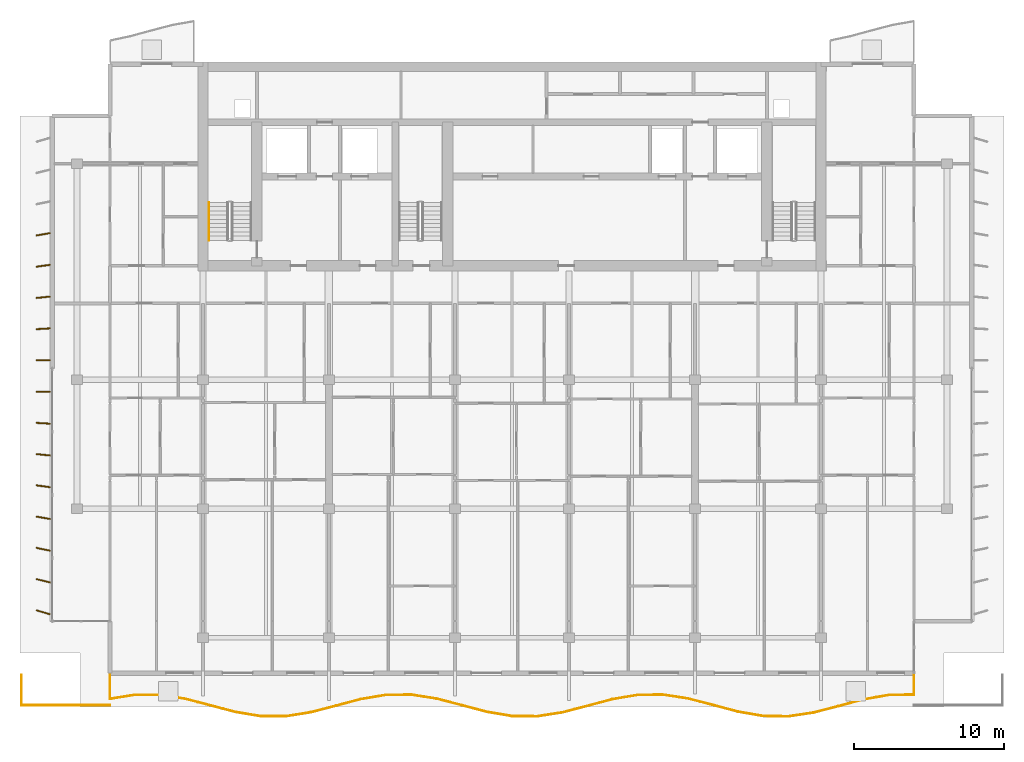
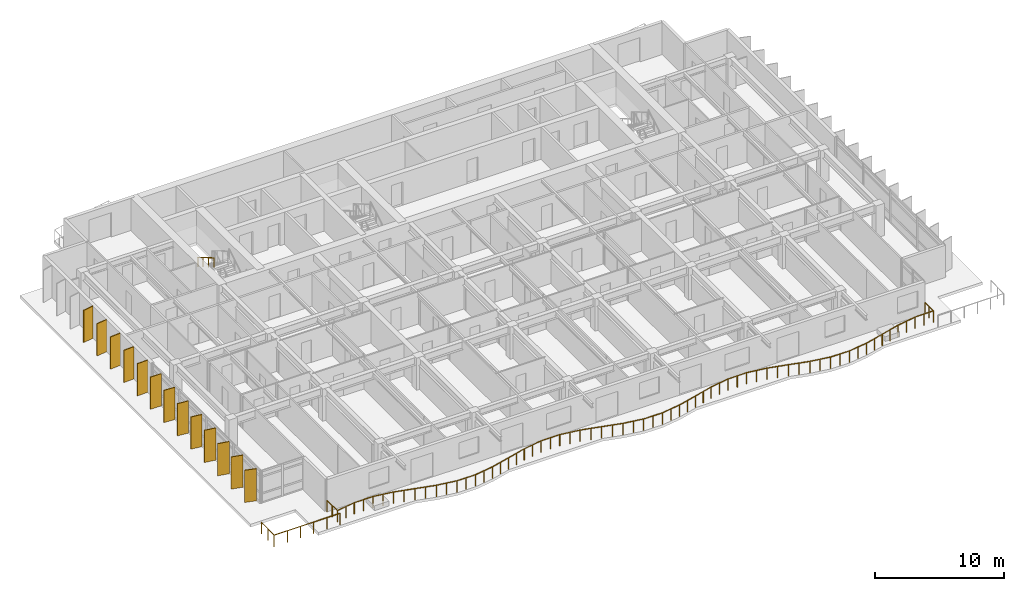
# One storey, part 13 of 17: 13 shading devices, 3 railings.
"""IFC4 building model written with IfcOpenShell, lengths in metres."""

from ifc_helpers import new_model, si_unit, direction, frame, origin, origin_2d, place, context, subcontext, project, spatial, rectangle, circle, extrude, material, material_profile, profile_set, type_object, element, save


model = new_model("IFC4")

# Units and contexts
model_context = context("Model", 3, precision=1e-05, world=origin(), true_north=direction((0.0, 1.0)))
body_context = subcontext(model_context, "Body", "Model", "MODEL_VIEW")
ifc_project = project(units=[si_unit("LENGTHUNIT", "METRE"), si_unit("AREAUNIT", "SQUARE_METRE"), si_unit("VOLUMEUNIT", "CUBIC_METRE"), si_unit("PLANEANGLEUNIT", "RADIAN"), si_unit("MASSUNIT", "GRAM", prefix="KILO")], contexts=[model_context])

# Site, building, storey
site_placement = place(None, origin())
site = spatial("IfcSite", under=ifc_project, at=site_placement, CompositionType="ELEMENT")
building_placement = place(site_placement, origin())
building = spatial("IfcBuilding", under=site, at=building_placement, Name="Caelmar Bay Residences", CompositionType="ELEMENT")
storey_placement = place(building_placement, frame((0.0, 0.0, 226.5)))
storey = spatial("IfcBuildingStorey", under=building, at=storey_placement, Name="L63", CompositionType="ELEMENT", Elevation=226.5)

# Railings
ifc_material_1 = material(Name="Anodised bronze handrail with laminated hurricane glass infill", Category="glass")
railing_type_1 = type_object("IfcRailingType", Name="RL-BAL-1100", PredefinedType="BALUSTRADE", material=ifc_material_1)
railing_1_placement = place(storey_placement, frame((12.10009765625, 9.699951171875, 0.0)))
element("IfcRailing", 1, at=railing_1_placement, inside=storey, type_object=railing_type_1, Name="L63 south Balcony Balustrade", PredefinedType="BALUSTRADE", context=body_context, shape_type="SweptSolid", body=[
    extrude(circle(Radius=0.02392578125, at=origin_2d()), frame((0.0, 0.0, 1.076171875), z_axis=(0.0, -1.0, 0.0), x_axis=(1.0, 0.0, 0.0)), (0.0, 0.0, 1.0), 1.5791015625),
    extrude(circle(Radius=0.02392578125, at=origin_2d()), frame((0.0, -1.5791015625, 1.076171875), z_axis=(0.987069814186, 0.160290929009, 0.0), x_axis=(-0.160290929009, 0.987069814186, 0.0)), (0.0, 0.0, 1.0), 1.69677734375),
    extrude(circle(Radius=0.02392578125, at=origin_2d()), frame((1.6748046875, -1.30712890625, 1.076171875), z_axis=(0.999999617618, 0.000874507755, 0.0), x_axis=(-0.000874507755, 0.999999617618, 0.0)), (0.0, 0.0, 1.0), 1.675048828125),
    extrude(circle(Radius=0.02392578125, at=origin_2d()), frame((3.349853515625, -1.3056640625, 1.076171875), z_axis=(0.987254980972, -0.15914648141, 0.0), x_axis=(0.15914648141, 0.987254980972, 0.0)), (0.0, 0.0, 1.0), 1.69677734375),
    extrude(circle(Radius=0.02392578125, at=origin_2d()), frame((5.02490234375, -1.57568359375, 1.076171875), z_axis=(0.967369754979, -0.253368816455, 0.0), x_axis=(0.253368816455, 0.967369754979, 0.0)), (0.0, 0.0, 1.0), 1.7314453125),
    extrude(circle(Radius=0.02392578125, at=origin_2d()), frame((6.699951171875, -2.014404296875, 1.076171875), z_axis=(0.967092793204, -0.254423916591, 0.0), x_axis=(0.254423916591, 0.967092793204, 0.0)), (0.0, 0.0, 1.0), 1.73193359375),
    extrude(circle(Radius=0.02392578125, at=origin_2d()), frame((8.375, -2.455078125, 1.076171875), z_axis=(0.986749248212, -0.162252646062, 0.0), x_axis=(0.162252646062, 0.986749248212, 0.0)), (0.0, 0.0, 1.0), 1.697265625),
    extrude(circle(Radius=0.02392578125, at=origin_2d()), frame((10.0498046875, -2.73046875, 1.076171875), z_axis=(0.999993881941, -0.003498010956, 0.0), x_axis=(0.003498010956, 0.999993881941, 0.0)), (0.0, 0.0, 1.0), 1.675048828125),
    extrude(circle(Radius=0.02392578125, at=origin_2d()), frame((11.724853515625, -2.736328125, 1.076171875), z_axis=(0.987591978571, 0.157041662822, 0.0), x_axis=(-0.157041662822, 0.987591978571, 0.0)), (0.0, 0.0, 1.0), 1.696044921875),
    extrude(circle(Radius=0.02392578125, at=origin_2d()), frame((13.39990234375, -2.469970703125, 1.076171875), z_axis=(0.967542351628, 0.252708919125, 0.0), x_axis=(-0.252708919125, 0.967542351628, 0.0)), (0.0, 0.0, 1.0), 1.731201171875),
    extrude(circle(Radius=0.02392578125, at=origin_2d()), frame((15.074951171875, -2.032470703125, 1.076171875), z_axis=(0.966919188711, 0.255082893393, 0.0), x_axis=(-0.255082893393, 0.966919188711, 0.0)), (0.0, 0.0, 1.0), 1.732421875),
    extrude(circle(Radius=0.02392578125, at=origin_2d()), frame((16.75, -1.590576171875, 1.076171875), z_axis=(0.98640169518, 0.164352352419, 0.0), x_axis=(-0.164352352419, 0.98640169518, 0.0)), (0.0, 0.0, 1.0), 1.697998046875),
    extrude(circle(Radius=0.02392578125, at=origin_2d()), frame((18.4248046875, -1.3115234375, 1.076171875), z_axis=(0.999983005669, 0.00582995485, 0.0), x_axis=(-0.00582995485, 0.999983005669, 0.0)), (0.0, 0.0, 1.0), 1.675048828125),
    extrude(circle(Radius=0.02392578125, at=origin_2d()), frame((20.099853515625, -1.3017578125, 1.076171875), z_axis=(0.987924712766, -0.154934702075, 0.0), x_axis=(0.154934702075, 0.987924712766, 0.0)), (0.0, 0.0, 1.0), 1.695556640625),
    extrude(circle(Radius=0.02392578125, at=origin_2d()), frame((21.77490234375, -1.564453125, 1.076171875), z_axis=(0.967783333474, -0.251784470231, 0.0), x_axis=(0.251784470231, 0.967783333474, 0.0)), (0.0, 0.0, 1.0), 1.730712890625),
    extrude(circle(Radius=0.02392578125, at=origin_2d()), frame((23.449951171875, -2.000244140625, 1.076171875), z_axis=(0.966710353351, -0.255873196573, 0.0), x_axis=(0.255873196573, 0.966710353351, 0.0)), (0.0, 0.0, 1.0), 1.732666015625),
    extrude(circle(Radius=0.02392578125, at=origin_2d()), frame((25.125, -2.443603515625, 1.076171875), z_axis=(0.986097071045, -0.166170293605, 0.0), x_axis=(0.166170293605, 0.986097071045, 0.0)), (0.0, 0.0, 1.0), 1.698486328125),
    extrude(circle(Radius=0.02392578125, at=origin_2d()), frame((26.7998046875, -2.725830078125, 1.076171875), z_axis=(0.999963027816, -0.008599011608, 0.0), x_axis=(0.008599011608, 0.999963027816, 0.0)), (0.0, 0.0, 1.0), 1.675048828125),
    extrude(circle(Radius=0.02392578125, at=origin_2d()), frame((28.474853515625, -2.740234375, 1.076171875), z_axis=(0.98823140632, 0.152966295513, 0.0), x_axis=(-0.152966295513, 0.98823140632, 0.0)), (0.0, 0.0, 1.0), 1.695068359375),
    extrude(circle(Radius=0.02392578125, at=origin_2d()), frame((30.14990234375, -2.48095703125, 1.076171875), z_axis=(0.967989281266, 0.250991536419, 0.0), x_axis=(-0.250991536419, 0.967989281266, 0.0)), (0.0, 0.0, 1.0), 1.73046875),
    extrude(circle(Radius=0.02392578125, at=origin_2d()), frame((31.824951171875, -2.046630859375, 1.076171875), z_axis=(0.966535899722, 0.256531390962, 0.0), x_axis=(-0.256531390962, 0.966535899722, 0.0)), (0.0, 0.0, 1.0), 1.733154296875),
    extrude(circle(Radius=0.02392578125, at=origin_2d()), frame((33.5, -1.60205078125, 1.076171875), z_axis=(0.985765482571, 0.168126182887, 0.0), x_axis=(-0.168126182887, 0.985765482571, 0.0)), (0.0, 0.0, 1.0), 1.698974609375),
    extrude(circle(Radius=0.02392578125, at=origin_2d()), frame((35.1748046875, -1.31640625, 1.076171875), z_axis=(0.999938654546, 0.011076422933, 0.0), x_axis=(-0.011076422933, 0.999938654546, 0.0)), (0.0, 0.0, 1.0), 1.675048828125),
    extrude(circle(Radius=0.02392578125, at=origin_2d()), frame((36.849853515625, -1.2978515625, 1.076171875), z_axis=(0.98855586007, -0.150855266797, 0.0), x_axis=(0.150855266797, 0.98855586007, 0.0)), (0.0, 0.0, 1.0), 1.6943359375),
    extrude(circle(Radius=0.02392578125, at=origin_2d()), frame((38.52490234375, -1.553466796875, 1.076171875), z_axis=(0.968194666502, -0.250198097028, 0.0), x_axis=(0.250198097028, 0.968194666502, 0.0)), (0.0, 0.0, 1.0), 1.72998046875),
    extrude(circle(Radius=0.02392578125, at=origin_2d()), frame((40.199951171875, -1.986328125, 1.076171875), z_axis=(0.966396059685, -0.257057689684, 0.0), x_axis=(0.257057689684, 0.966396059685, 0.0)), (0.0, 0.0, 1.0), 1.7333984375),
    extrude(circle(Radius=0.02392578125, at=origin_2d()), frame((41.875, -2.431884765625, 1.076171875), z_axis=(0.98540615772, -0.170219576807, 0.0), x_axis=(0.170219576807, 0.98540615772, 0.0)), (0.0, 0.0, 1.0), 1.69970703125),
    extrude(circle(Radius=0.02392578125, at=origin_2d()), frame((43.5498046875, -2.72119140625, 1.076171875), z_axis=(0.999906159624, -0.013699341059, 0.0), x_axis=(0.013699341059, 0.999906159624, 0.0)), (0.0, 0.0, 1.0), 1.67529296875),
    extrude(circle(Radius=0.02392578125, at=origin_2d()), frame((45.224853515625, -2.744140625, 1.076171875), z_axis=(0.988854802214, 0.148883108976, 0.0), x_axis=(-0.148883108976, 0.988854802214, 0.0)), (0.0, 0.0, 1.0), 1.69384765625),
    extrude(circle(Radius=0.02392578125, at=origin_2d()), frame((46.89990234375, -2.491943359375, 1.076171875), z_axis=(0.968399487997, 0.249404153227, 0.0), x_axis=(-0.249404153227, 0.968399487997, 0.0)), (0.0, 0.0, 1.0), 1.729736328125),
    extrude(circle(Radius=0.02392578125, at=origin_2d()), frame((48.574951171875, -2.060546875, 1.076171875), z_axis=(0.966220913805, 0.257715241548, 0.0), x_axis=(-0.257715241548, 0.966220913805, 0.0)), (0.0, 0.0, 1.0), 1.733642578125),
    extrude(circle(Radius=0.02392578125, at=origin_2d()), frame((50.25, -1.61376953125, 1.076171875), z_axis=(0.985091363436, 0.172031990291, 0.0), x_axis=(-0.172031990291, 0.985091363436, 0.0)), (0.0, 0.0, 1.0), 1.7001953125),
    extrude(circle(Radius=0.02392578125, at=origin_2d()), frame((51.9248046875, -1.3212890625, 1.076171875), z_axis=(0.99986678767, 0.01632197642, 0.0), x_axis=(-0.01632197642, 0.99986678767, 0.0)), (0.0, 0.0, 1.0), 1.67529296875),
    extrude(circle(Radius=0.02392578125, at=origin_2d()), frame((53.599853515625, -1.2939453125, 1.076171875), z_axis=(0.0, 1.0, 0.0), x_axis=(-1.0, 0.0, 0.0)), (0.0, 0.0, 1.0), 1.2939453125),
    extrude(circle(Radius=0.02099609375, at=origin_2d()), origin(), (0.0, 0.0, 1.0), 1.052001953125),
    extrude(circle(Radius=0.02099609375, at=origin_2d()), frame((0.0, -0.78955078125, 0.0)), (0.0, 0.0, 1.0), 1.052001953125),
    extrude(circle(Radius=0.02099609375, at=origin_2d()), frame((0.0, -1.5791015625, 0.0)), (0.0, 0.0, 1.0), 1.052001953125),
    extrude(circle(Radius=0.02099609375, at=origin_2d()), frame((0.83740234375, -1.443115234375, 0.0)), (0.0, 0.0, 1.0), 1.052001953125),
    extrude(circle(Radius=0.02099609375, at=origin_2d()), frame((1.6748046875, -1.30712890625, 0.0)), (0.0, 0.0, 1.0), 1.052001953125),
    extrude(circle(Radius=0.02099609375, at=origin_2d()), frame((2.51220703125, -1.306396484375, 0.0)), (0.0, 0.0, 1.0), 1.052001953125),
    extrude(circle(Radius=0.02099609375, at=origin_2d()), frame((3.349853515625, -1.3056640625, 0.0)), (0.0, 0.0, 1.0), 1.052001953125),
    extrude(circle(Radius=0.02099609375, at=origin_2d()), frame((4.1875, -1.440673828125, 0.0)), (0.0, 0.0, 1.0), 1.052001953125),
    extrude(circle(Radius=0.02099609375, at=origin_2d()), frame((5.02490234375, -1.57568359375, 0.0)), (0.0, 0.0, 1.0), 1.052001953125),
    extrude(circle(Radius=0.02099609375, at=origin_2d()), frame((5.8623046875, -1.794921875, 0.0)), (0.0, 0.0, 1.0), 1.052001953125),
    extrude(circle(Radius=0.02099609375, at=origin_2d()), frame((6.699951171875, -2.014404296875, 0.0)), (0.0, 0.0, 1.0), 1.052001953125),
    extrude(circle(Radius=0.02099609375, at=origin_2d()), frame((7.53759765625, -2.23486328125, 0.0)), (0.0, 0.0, 1.0), 1.052001953125),
    extrude(circle(Radius=0.02099609375, at=origin_2d()), frame((8.375, -2.455078125, 0.0)), (0.0, 0.0, 1.0), 1.052001953125),
    extrude(circle(Radius=0.02099609375, at=origin_2d()), frame((9.21240234375, -2.5927734375, 0.0)), (0.0, 0.0, 1.0), 1.052001953125),
    extrude(circle(Radius=0.02099609375, at=origin_2d()), frame((10.0498046875, -2.73046875, 0.0)), (0.0, 0.0, 1.0), 1.052001953125),
    extrude(circle(Radius=0.02099609375, at=origin_2d()), frame((10.88720703125, -2.7333984375, 0.0)), (0.0, 0.0, 1.0), 1.052001953125),
    extrude(circle(Radius=0.02099609375, at=origin_2d()), frame((11.724853515625, -2.736328125, 0.0)), (0.0, 0.0, 1.0), 1.052001953125),
    extrude(circle(Radius=0.02099609375, at=origin_2d()), frame((12.5625, -2.60302734375, 0.0)), (0.0, 0.0, 1.0), 1.052001953125),
    extrude(circle(Radius=0.02099609375, at=origin_2d()), frame((13.39990234375, -2.469970703125, 0.0)), (0.0, 0.0, 1.0), 1.052001953125),
    extrude(circle(Radius=0.02099609375, at=origin_2d()), frame((14.2373046875, -2.251220703125, 0.0)), (0.0, 0.0, 1.0), 1.052001953125),
    extrude(circle(Radius=0.02099609375, at=origin_2d()), frame((15.074951171875, -2.032470703125, 0.0)), (0.0, 0.0, 1.0), 1.052001953125),
    extrude(circle(Radius=0.02099609375, at=origin_2d()), frame((15.91259765625, -1.8115234375, 0.0)), (0.0, 0.0, 1.0), 1.052001953125),
    extrude(circle(Radius=0.02099609375, at=origin_2d()), frame((16.75, -1.590576171875, 0.0)), (0.0, 0.0, 1.0), 1.052001953125),
    extrude(circle(Radius=0.02099609375, at=origin_2d()), frame((17.58740234375, -1.451171875, 0.0)), (0.0, 0.0, 1.0), 1.052001953125),
    extrude(circle(Radius=0.02099609375, at=origin_2d()), frame((18.4248046875, -1.3115234375, 0.0)), (0.0, 0.0, 1.0), 1.052001953125),
    extrude(circle(Radius=0.02099609375, at=origin_2d()), frame((19.26220703125, -1.306640625, 0.0)), (0.0, 0.0, 1.0), 1.052001953125),
    extrude(circle(Radius=0.02099609375, at=origin_2d()), frame((20.099853515625, -1.3017578125, 0.0)), (0.0, 0.0, 1.0), 1.052001953125),
    extrude(circle(Radius=0.02099609375, at=origin_2d()), frame((20.9375, -1.43310546875, 0.0)), (0.0, 0.0, 1.0), 1.052001953125),
    extrude(circle(Radius=0.02099609375, at=origin_2d()), frame((21.77490234375, -1.564453125, 0.0)), (0.0, 0.0, 1.0), 1.052001953125),
    extrude(circle(Radius=0.02099609375, at=origin_2d()), frame((22.6123046875, -1.7822265625, 0.0)), (0.0, 0.0, 1.0), 1.052001953125),
    extrude(circle(Radius=0.02099609375, at=origin_2d()), frame((23.449951171875, -2.000244140625, 0.0)), (0.0, 0.0, 1.0), 1.052001953125),
    extrude(circle(Radius=0.02099609375, at=origin_2d()), frame((24.28759765625, -2.221923828125, 0.0)), (0.0, 0.0, 1.0), 1.052001953125),
    extrude(circle(Radius=0.02099609375, at=origin_2d()), frame((25.125, -2.443603515625, 0.0)), (0.0, 0.0, 1.0), 1.052001953125),
    extrude(circle(Radius=0.02099609375, at=origin_2d()), frame((25.96240234375, -2.584716796875, 0.0)), (0.0, 0.0, 1.0), 1.052001953125),
    extrude(circle(Radius=0.02099609375, at=origin_2d()), frame((26.7998046875, -2.725830078125, 0.0)), (0.0, 0.0, 1.0), 1.052001953125),
    extrude(circle(Radius=0.02099609375, at=origin_2d()), frame((27.63720703125, -2.73291015625, 0.0)), (0.0, 0.0, 1.0), 1.052001953125),
    extrude(circle(Radius=0.02099609375, at=origin_2d()), frame((28.474853515625, -2.740234375, 0.0)), (0.0, 0.0, 1.0), 1.052001953125),
    extrude(circle(Radius=0.02099609375, at=origin_2d()), frame((29.3125, -2.610595703125, 0.0)), (0.0, 0.0, 1.0), 1.052001953125),
    extrude(circle(Radius=0.02099609375, at=origin_2d()), frame((30.14990234375, -2.48095703125, 0.0)), (0.0, 0.0, 1.0), 1.052001953125),
    extrude(circle(Radius=0.02099609375, at=origin_2d()), frame((30.9873046875, -2.263671875, 0.0)), (0.0, 0.0, 1.0), 1.052001953125),
    extrude(circle(Radius=0.02099609375, at=origin_2d()), frame((31.824951171875, -2.046630859375, 0.0)), (0.0, 0.0, 1.0), 1.052001953125),
    extrude(circle(Radius=0.02099609375, at=origin_2d()), frame((32.66259765625, -1.82421875, 0.0)), (0.0, 0.0, 1.0), 1.052001953125),
    extrude(circle(Radius=0.02099609375, at=origin_2d()), frame((33.5, -1.60205078125, 0.0)), (0.0, 0.0, 1.0), 1.052001953125),
    extrude(circle(Radius=0.02099609375, at=origin_2d()), frame((34.33740234375, -1.459228515625, 0.0)), (0.0, 0.0, 1.0), 1.052001953125),
    extrude(circle(Radius=0.02099609375, at=origin_2d()), frame((35.1748046875, -1.31640625, 0.0)), (0.0, 0.0, 1.0), 1.052001953125),
    extrude(circle(Radius=0.02099609375, at=origin_2d()), frame((36.01220703125, -1.30712890625, 0.0)), (0.0, 0.0, 1.0), 1.052001953125),
    extrude(circle(Radius=0.02099609375, at=origin_2d()), frame((36.849853515625, -1.2978515625, 0.0)), (0.0, 0.0, 1.0), 1.052001953125),
    extrude(circle(Radius=0.02099609375, at=origin_2d()), frame((37.6875, -1.42578125, 0.0)), (0.0, 0.0, 1.0), 1.052001953125),
    extrude(circle(Radius=0.02099609375, at=origin_2d()), frame((38.52490234375, -1.553466796875, 0.0)), (0.0, 0.0, 1.0), 1.052001953125),
    extrude(circle(Radius=0.02099609375, at=origin_2d()), frame((39.3623046875, -1.77001953125, 0.0)), (0.0, 0.0, 1.0), 1.052001953125),
    extrude(circle(Radius=0.02099609375, at=origin_2d()), frame((40.199951171875, -1.986328125, 0.0)), (0.0, 0.0, 1.0), 1.052001953125),
    extrude(circle(Radius=0.02099609375, at=origin_2d()), frame((41.03759765625, -2.208984375, 0.0)), (0.0, 0.0, 1.0), 1.052001953125),
    extrude(circle(Radius=0.02099609375, at=origin_2d()), frame((41.875, -2.431884765625, 0.0)), (0.0, 0.0, 1.0), 1.052001953125),
    extrude(circle(Radius=0.02099609375, at=origin_2d()), frame((42.71240234375, -2.57666015625, 0.0)), (0.0, 0.0, 1.0), 1.052001953125),
    extrude(circle(Radius=0.02099609375, at=origin_2d()), frame((43.5498046875, -2.72119140625, 0.0)), (0.0, 0.0, 1.0), 1.052001953125),
    extrude(circle(Radius=0.02099609375, at=origin_2d()), frame((44.38720703125, -2.732666015625, 0.0)), (0.0, 0.0, 1.0), 1.052001953125),
    extrude(circle(Radius=0.02099609375, at=origin_2d()), frame((45.224853515625, -2.744140625, 0.0)), (0.0, 0.0, 1.0), 1.052001953125),
    extrude(circle(Radius=0.02099609375, at=origin_2d()), frame((46.0625, -2.6181640625, 0.0)), (0.0, 0.0, 1.0), 1.052001953125),
    extrude(circle(Radius=0.02099609375, at=origin_2d()), frame((46.89990234375, -2.491943359375, 0.0)), (0.0, 0.0, 1.0), 1.052001953125),
    extrude(circle(Radius=0.02099609375, at=origin_2d()), frame((47.7373046875, -2.2763671875, 0.0)), (0.0, 0.0, 1.0), 1.052001953125),
    extrude(circle(Radius=0.02099609375, at=origin_2d()), frame((48.574951171875, -2.060546875, 0.0)), (0.0, 0.0, 1.0), 1.052001953125),
    extrude(circle(Radius=0.02099609375, at=origin_2d()), frame((49.41259765625, -1.837158203125, 0.0)), (0.0, 0.0, 1.0), 1.052001953125),
    extrude(circle(Radius=0.02099609375, at=origin_2d()), frame((50.25, -1.61376953125, 0.0)), (0.0, 0.0, 1.0), 1.052001953125),
    extrude(circle(Radius=0.02099609375, at=origin_2d()), frame((51.08740234375, -1.467529296875, 0.0)), (0.0, 0.0, 1.0), 1.052001953125),
    extrude(circle(Radius=0.02099609375, at=origin_2d()), frame((51.9248046875, -1.3212890625, 0.0)), (0.0, 0.0, 1.0), 1.052001953125),
    extrude(circle(Radius=0.02099609375, at=origin_2d()), frame((52.76220703125, -1.3076171875, 0.0)), (0.0, 0.0, 1.0), 1.052001953125),
    extrude(circle(Radius=0.02099609375, at=origin_2d()), frame((53.599853515625, -1.2939453125, 0.0)), (0.0, 0.0, 1.0), 1.052001953125),
    extrude(circle(Radius=0.02099609375, at=origin_2d()), frame((53.599853515625, -0.64697265625, 0.0)), (0.0, 0.0, 1.0), 1.052001953125),
    extrude(circle(Radius=0.02099609375, at=origin_2d()), frame((53.599853515625, 0.0, 0.0)), (0.0, 0.0, 1.0), 1.052001953125),
])
railing_2_placement = place(storey_placement, frame((6.199951171875, 9.699951171875, 0.0)))
element("IfcRailing", 2, at=railing_2_placement, inside=storey, type_object=railing_type_1, Name="L63 West Planted Terrace Balustrade", PredefinedType="BALUSTRADE", context=body_context, shape_type="SweptSolid", body=[
    extrude(circle(Radius=0.02392578125, at=origin_2d()), frame((0.0, 0.0, 1.076171875), z_axis=(0.0, -1.0, 0.0), x_axis=(1.0, 0.0, 0.0)), (0.0, 0.0, 1.0), 2.0),
    extrude(circle(Radius=0.02392578125, at=origin_2d()), frame((0.0, -2.0, 1.076171875), z_axis=(1.0, 0.0, 0.0), x_axis=(0.0, 1.0, 0.0)), (0.0, 0.0, 1.0), 5.900146484375),
    extrude(circle(Radius=0.02099609375, at=origin_2d()), origin(), (0.0, 0.0, 1.0), 1.052001953125),
    extrude(circle(Radius=0.02099609375, at=origin_2d()), frame((0.0, -1.0, 0.0)), (0.0, 0.0, 1.0), 1.052001953125),
    extrude(circle(Radius=0.02099609375, at=origin_2d()), frame((0.0, -2.0, 0.0)), (0.0, 0.0, 1.0), 1.052001953125),
    extrude(circle(Radius=0.02099609375, at=origin_2d()), frame((1.179931640625, -2.0, 0.0)), (0.0, 0.0, 1.0), 1.052001953125),
    extrude(circle(Radius=0.02099609375, at=origin_2d()), frame((2.360107421875, -2.0, 0.0)), (0.0, 0.0, 1.0), 1.052001953125),
    extrude(circle(Radius=0.02099609375, at=origin_2d()), frame((3.5400390625, -2.0, 0.0)), (0.0, 0.0, 1.0), 1.052001953125),
    extrude(circle(Radius=0.02099609375, at=origin_2d()), frame((4.72021484375, -2.0, 0.0)), (0.0, 0.0, 1.0), 1.052001953125),
    extrude(circle(Radius=0.02099609375, at=origin_2d()), frame((5.900146484375, -2.0, 0.0)), (0.0, 0.0, 1.0), 1.052001953125),
])
ifc_material_2 = material(Name="Brushed bronze stainless-steel tubular handrail 900 mm", Category="steel")
railing_type_2 = type_object("IfcRailingType", Name="RL-HND-900", PredefinedType="HANDRAIL", material=ifc_material_2)
railing_3_placement = place(storey_placement, frame((18.699951171875, 41.219970703125, 1.81494140625)))
element("IfcRailing", 3, at=railing_3_placement, inside=storey, type_object=railing_type_2, Name="L63 ST1 stair handrail 2", PredefinedType="HANDRAIL", context=body_context, shape_type="SweptSolid", body=[
    extrude(circle(Radius=0.02392578125, at=origin_2d()), frame((0.0, 0.0, 0.8759765625), z_axis=(0.0, -0.86152411907, 0.507716645641), x_axis=(1.0, 0.0, 0.0)), (0.0, 0.0, 1.0), 2.925048828125),
    extrude(circle(Radius=0.02099609375, at=origin_2d()), origin(), (0.0, 0.0, 1.0), 0.851806640625),
    extrude(circle(Radius=0.02099609375, at=origin_2d()), frame((0.0, -0.840087890625, 0.4951171875)), (0.0, 0.0, 1.0), 0.851806640625),
    extrude(circle(Radius=0.02099609375, at=origin_2d()), frame((0.0, -1.679931640625, 0.989990234375)), (0.0, 0.0, 1.0), 0.851806640625),
    extrude(circle(Radius=0.02099609375, at=origin_2d()), frame((0.0, -2.52001953125, 1.485107421875)), (0.0, 0.0, 1.0), 0.851806640625),
])

# Shading devices
ifc_material_3 = material(Name="Anodised architectural bronze aluminium 6063-T6", Category="aluminium")
ifc_material_profile = material_profile(ifc_material_3, rectangle(XDim=0.074951171875, YDim=0.949951171875, at=origin_2d()), Name="BRONZE-FIN-75X950")
ifc_profile_set = profile_set([ifc_material_profile], Name="Anodised architectural bronze aluminium 6063-T6")
shading_device_type = type_object("IfcShadingDeviceType", Name="SHD-FIN-950", PredefinedType="USERDEFINED", material=ifc_profile_set)
for number, where, z_axis, x_axis, name in (
    (4, (7.64990234375, 13.89990234375, 0.0), (0.0, 0.0, 1.0), (0.275637355817, 0.961261695938, 0.0), "L63 West Bronze Solar Fin 1"),
    (5, (7.64990234375, 16.0, 0.0), (0.0, 0.0, 1.0), (0.239719743609, 0.970842131618, 0.0), "L63 West Bronze Solar Fin 2"),
    (6, (7.64990234375, 18.10009765625, 0.0), (0.0, 0.0, 1.0), (0.2032999874, 0.979116497217, 0.0), "L63 West Bronze Solar Fin 3"),
    (7, (7.64990234375, 20.199951171875, 0.0), (0.0, 0.0, 1.0), (0.166768746716, 0.985996037071, 0.0), "L63 West Bronze Solar Fin 4"),
    (8, (7.64990234375, 22.300048828125, 0.0), (0.0, 0.0, 1.0), (0.130007055036, 0.99151306882, 0.0), "L63 West Bronze Solar Fin 5"),
    (9, (7.64990234375, 24.39990234375, 0.0), (0.0, 0.0, 1.0), (0.092891934994, 0.995676196569, 0.0), "L63 West Bronze Solar Fin 6"),
    (10, (7.64990234375, 26.5, 0.0), (0.0, 0.0, 1.0), (0.055821504993, 0.998440764182, 0.0), "L63 West Bronze Solar Fin 7"),
    (11, (7.64990234375, 28.60009765625, 0.0), (0.0, 0.0, 1.0), (0.018673937509, 0.999825626826, 0.0), "L63 West Bronze Solar Fin 8"),
    (12, (7.64990234375, 30.699951171875, 0.0), (0.0, 0.0, 1.0), (-0.018673937509, 0.999825626826, 0.0), "L63 West Bronze Solar Fin 9"),
    (13, (7.64990234375, 32.800048828125, 0.0), (0.0, 0.0, 1.0), (-0.055821504993, 0.998440764182, 0.0), "L63 West Bronze Solar Fin 10"),
    (14, (7.64990234375, 34.89990234375, 0.0), (0.0, 0.0, 1.0), (-0.092891934994, 0.995676196569, 0.0), "L63 West Bronze Solar Fin 11"),
    (15, (7.64990234375, 37.0, 0.0), (0.0, 0.0, 1.0), (-0.130007055036, 0.99151306882, 0.0), "L63 West Bronze Solar Fin 12"),
    (16, (7.64990234375, 39.10009765625, 0.0), (0.0, 0.0, 1.0), (-0.166768746716, 0.985996037071, 0.0), "L63 West Bronze Solar Fin 13"),
):
    element("IfcShadingDevice", number, at=place(storey_placement, frame(where, z_axis=z_axis, x_axis=x_axis)), inside=storey, type_object=shading_device_type, Name=name, ObjectType="FIN", PredefinedType="USERDEFINED", context=body_context, shape_type="SweptSolid", body=[
        extrude(rectangle(XDim=0.074951171875, YDim=0.949951171875, at=origin_2d()), origin(), (0.0, 0.0, 1.0), 3.050048828125),
    ])

save(model, "model.ifc")
